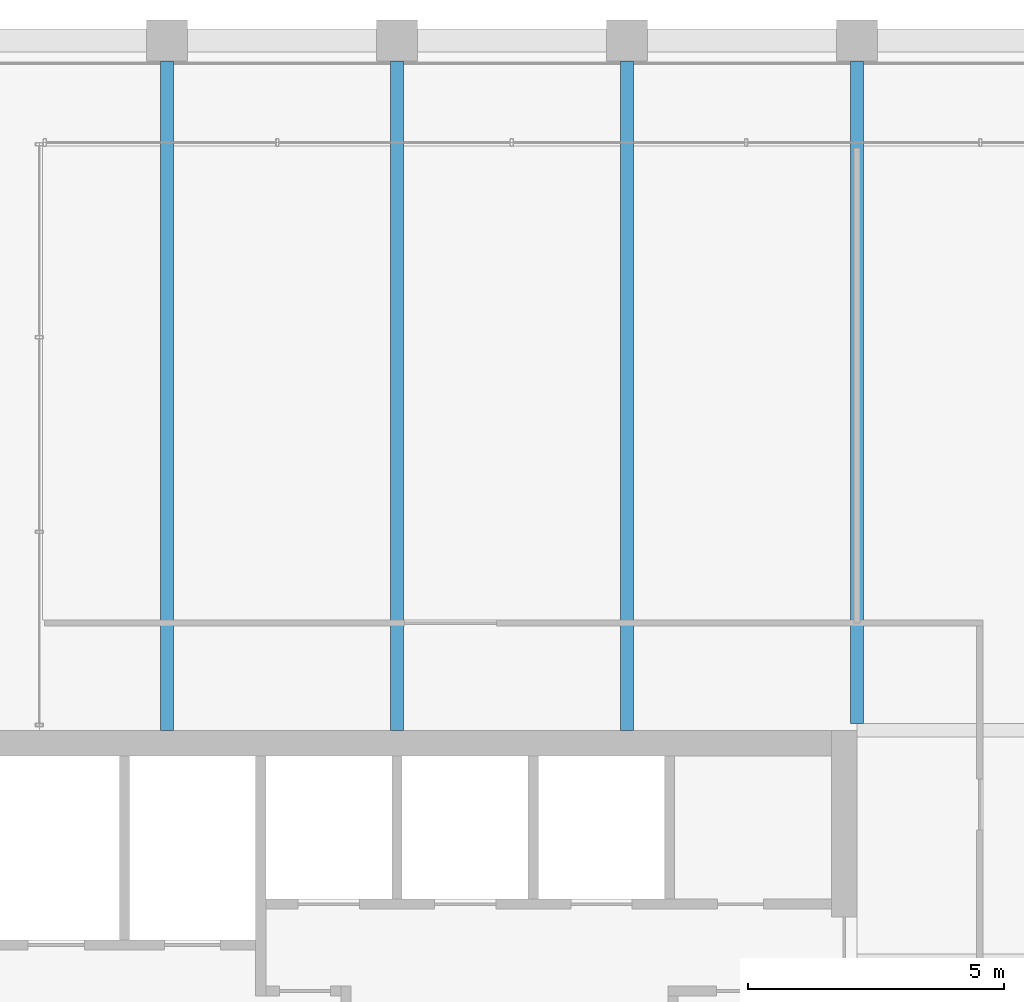
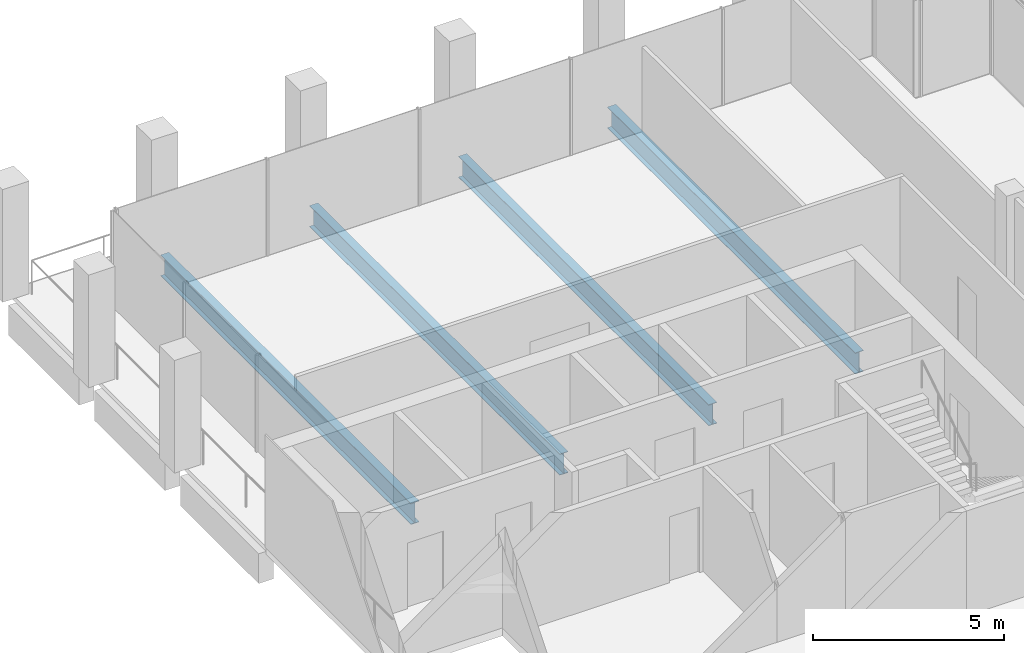
# One storey, part 22 of 30: 4 beams.
"""IFC4 building model written with IfcOpenShell, lengths in metres."""

import ifcopenshell
import ifcopenshell.guid

model = None  # the IFC model being written
_history = None  # IfcOwnerHistory: only IFC2X3 demands one
_inside = {}  # id of a spatial element -> (the spatial element, [elements in it])
_under = {}  # id of a project, library or spatial element -> (it, [spatial elements below it])
_declared = {}  # id of a project -> (the project, [libraries it declares])
_typed = {}  # id of a type object -> (the type object, [elements of that type])
_made_of = {}  # id of a material, layer set ... -> (it, [elements and type objects made of it])


def new_model(schema):
    """Start an empty IFC model of exactly this schema.

    Asked for "IFC4X3", IfcOpenShell would pick the latest addendum, in which some entities
    have other attributes; the version numbers below select the first issue.
    IFC2X3 requires an IfcOwnerHistory on every rooted entity: one is made here for all.
    """
    global model, _history
    if schema == "IFC4X3":
        model = ifcopenshell.file(schema_version=(4, 3, 0, 0))
    else:
        model = ifcopenshell.file(schema=schema)
    _inside.clear()
    _under.clear()
    _declared.clear()
    _typed.clear()
    _made_of.clear()
    _history = None
    if model.schema == "IFC2X3":
        org = make("IfcOrganization", Name="unknown")
        user = make(
            "IfcPersonAndOrganization",
            ThePerson=make("IfcPerson", FamilyName="unknown"),
            TheOrganization=org,
        )
        app = make(
            "IfcApplication",
            ApplicationDeveloper=org,
            Version="unknown",
            ApplicationFullName="unknown",
            ApplicationIdentifier="unknown",
        )
        _history = make(
            "IfcOwnerHistory",
            OwningUser=user,
            OwningApplication=app,
            ChangeAction="ADDED",
            CreationDate=0,
        )
    return model


def make(cls, **values):
    """One entity of the class cls with the attributes given. An attribute that is None is left unset."""
    return model.create_entity(
        cls, **{name: value for name, value in values.items() if value is not None}
    )


def rooted(cls, **values):
    """An entity with a GlobalId (a new one), such as an element, a storey or a relation."""
    return make(cls, GlobalId=ifcopenshell.guid.new(), OwnerHistory=_history, **values)


def si_unit(unit_type, name, prefix=None):
    """IfcSIUnit, for example si_unit("LENGTHUNIT", "METRE", prefix="MILLI")."""
    return make("IfcSIUnit", UnitType=unit_type, Prefix=prefix, Name=name)


def assignment(units):
    """IfcUnitAssignment: the units of a project."""
    return None if units is None else make("IfcUnitAssignment", Units=units)


def point(xyz):
    """IfcCartesianPoint."""
    return None if xyz is None else make("IfcCartesianPoint", Coordinates=xyz)


def direction(xyz):
    """IfcDirection."""
    return None if xyz is None else make("IfcDirection", DirectionRatios=xyz)


def frame(location, z_axis=None, x_axis=None):
    """IfcAxis2Placement3D, a coordinate frame: its origin and axes. An axis left out is left unset."""
    return make(
        "IfcAxis2Placement3D",
        Location=point(location),
        Axis=direction(z_axis),
        RefDirection=direction(x_axis),
    )


def frame_2d(location, x_axis=None):
    """IfcAxis2Placement2D, a coordinate frame in the plane: its origin and x axis."""
    return make(
        "IfcAxis2Placement2D", Location=point(location), RefDirection=direction(x_axis)
    )


def origin():
    """The frame at (0, 0, 0) with its axes left unset."""
    return frame((0.0, 0.0, 0.0))


def origin_2d():
    """The frame at (0, 0) in the plane with its x axis left unset."""
    return frame_2d((0.0, 0.0))


def place(relative_to, where):
    """IfcLocalPlacement: puts the frame where relative to a parent placement (None: the world)."""
    return make(
        "IfcLocalPlacement", PlacementRelTo=relative_to, RelativePlacement=where
    )


def context(
    kind, dimensions, precision=None, world=None, true_north=None, identifier=None
):
    """IfcGeometricRepresentationContext, for example the 3D "Model" context."""
    return make(
        "IfcGeometricRepresentationContext",
        ContextIdentifier=identifier,
        ContextType=kind,
        CoordinateSpaceDimension=dimensions,
        Precision=precision,
        WorldCoordinateSystem=world,
        TrueNorth=true_north,
    )


def subcontext(parent, identifier, kind, view, scale=None):
    """IfcGeometricRepresentationSubContext, for example "Body" below "Model"."""
    return make(
        "IfcGeometricRepresentationSubContext",
        ContextIdentifier=identifier,
        ContextType=kind,
        ParentContext=parent,
        TargetScale=scale,
        TargetView=view,
    )


def project(units=None, contexts=None):
    """IfcProject with its units and contexts."""
    return rooted(
        "IfcProject",
        Name="project",
        RepresentationContexts=contexts,
        UnitsInContext=assignment(units),
    )


def spatial(cls, under=None, at=None, **own):
    """A site, building, storey or space (cls), placed at a placement, below another one or the project."""
    s = rooted(cls, ObjectPlacement=at, **own)
    if under is not None:
        _under.setdefault(under.id(), (under, []))[1].append(s)
    return s


def profile(cls, at=None, kind="AREA", **sizes):
    """A parametric profile (cls). Its sizes go by their IFC names, for example OverallWidth=200.0."""
    return make(cls, ProfileType=kind, Position=at, **sizes)


def i_section(**sizes):
    """IfcIShapeProfileDef."""
    return profile("IfcIShapeProfileDef", **sizes)


def extrude(swept, where, along, depth):
    """IfcExtrudedAreaSolid: the profile swept, set in the frame where, extruded along a direction by depth."""
    return make(
        "IfcExtrudedAreaSolid",
        SweptArea=swept,
        Position=where,
        ExtrudedDirection=direction(along),
        Depth=depth,
    )


def shape(context_of_items, identifier, shape_type, items):
    """IfcShapeRepresentation: the items that make up one representation, for example the "Body"."""
    return make(
        "IfcShapeRepresentation",
        ContextOfItems=context_of_items,
        RepresentationIdentifier=identifier,
        RepresentationType=shape_type,
        Items=items,
    )


def material(Name=None, Category=None):
    """IfcMaterial."""
    return make("IfcMaterial", Name=Name, Category=Category)


def material_profile(
    of_material, cross_section, Name=None, Category=None, Priority=None
):
    """IfcMaterialProfile: a cross section and its material."""
    return make(
        "IfcMaterialProfile",
        Name=Name,
        Material=of_material,
        Profile=cross_section,
        Priority=Priority,
        Category=Category,
    )


def profile_set(profiles, Name=None, composite=None):
    """IfcMaterialProfileSet."""
    return make(
        "IfcMaterialProfileSet",
        Name=Name,
        MaterialProfiles=profiles,
        CompositeProfile=composite,
    )


def made_of(thing, what):
    """Note that an element or type object is made of a material, layer set ...; save() writes the relation."""
    if what is not None:
        _made_of.setdefault(what.id(), (what, []))[1].append(thing)
    return thing


def type_object(cls, material=None, **own):
    """A type object (cls), such as IfcWallType, which elements share."""
    return made_of(rooted(cls, **own), material)


def element(
    cls,
    number,
    at=None,
    inside=None,
    cuts=None,
    type_object=None,
    material=None,
    context=None,
    identifier="Body",
    shape_type=None,
    held_by="IfcProductDefinitionShape",
    body=None,
    shapes=None,
    **own,
):
    """One element of the class cls, such as IfcWall. Its Tag is "e" and its number.

    at: its placement. inside: the storey or other place that contains it. cuts: it is an
    opening in that element (IfcRelVoidsElement). A single representation is given by context,
    identifier, shape_type and body (its items); several are given by shapes. held_by: the class
    of the entity that holds the representations. save() writes the other relations.
    """
    e = rooted(cls, Tag="e%d" % number, ObjectPlacement=at, **own)
    if body is not None:
        shapes = [shape(context, identifier, shape_type, body)]
    if shapes is not None:
        e.Representation = make(held_by, Representations=shapes)
    if inside is not None:
        _inside.setdefault(inside.id(), (inside, []))[1].append(e)
    if cuts is not None:
        rooted(
            "IfcRelVoidsElement", RelatingBuildingElement=cuts, RelatedOpeningElement=e
        )
    if type_object is not None:
        _typed.setdefault(type_object.id(), (type_object, []))[1].append(e)
    return made_of(e, material)


def aggregate(whole, parts):
    """IfcRelAggregates: a whole, such as a stair, and the parts it consists of."""
    return rooted("IfcRelAggregates", RelatingObject=whole, RelatedObjects=parts)


def save(model, path):
    """Write the relations noted so far, then the file.

    IfcRelAggregates (storeys below a building ...), IfcRelContainedInSpatialStructure (elements
    in a storey), IfcRelDefinesByType, IfcRelAssociatesMaterial and IfcRelDeclares: one each for
    every whole, place, type object, material and project.
    """
    for whole, parts in _under.values():
        aggregate(whole, parts)
    for where, things in _inside.values():
        rooted(
            "IfcRelContainedInSpatialStructure",
            RelatedElements=things,
            RelatingStructure=where,
        )
    for kind, things in _typed.values():
        rooted("IfcRelDefinesByType", RelatedObjects=things, RelatingType=kind)
    for what, things in _made_of.values():
        rooted("IfcRelAssociatesMaterial", RelatedObjects=things, RelatingMaterial=what)
    for by, libraries in _declared.values():
        rooted("IfcRelDeclares", RelatingContext=by, RelatedDefinitions=libraries)
    model.write(path)


model = new_model("IFC4")

# Units and contexts
model_context = context("Model", 3, precision=1e-05, world=origin(), true_north=direction((0.0, 1.0)))
body_context = subcontext(model_context, "Body", "Model", "MODEL_VIEW")
ifc_project = project(units=[si_unit("LENGTHUNIT", "METRE"), si_unit("AREAUNIT", "SQUARE_METRE"), si_unit("VOLUMEUNIT", "CUBIC_METRE"), si_unit("PLANEANGLEUNIT", "RADIAN"), si_unit("MASSUNIT", "GRAM", prefix="KILO")], contexts=[model_context])

# Site, building, storey
site_placement = place(None, origin())
site = spatial("IfcSite", under=ifc_project, at=site_placement, CompositionType="ELEMENT")
building_placement = place(site_placement, origin())
building = spatial("IfcBuilding", under=site, at=building_placement, Name="Altepetl Exchange Towers", CompositionType="ELEMENT")
storey_placement = place(building_placement, frame((0.0, 0.0, 238.800048828125)))
storey = spatial("IfcBuildingStorey", under=building, at=storey_placement, Name="L61", CompositionType="ELEMENT", Elevation=238.800048828125)

# Beams
ifc_material = material(Name="Steel S355", Category="steel")
ifc_material_profile = material_profile(ifc_material, i_section(OverallWidth=0.2529296875, OverallDepth=0.677978515625, WebThickness=0.01171875, FlangeThickness=0.016357421875, at=origin_2d()), Name="W27X84")
ifc_profile_set = profile_set([ifc_material_profile], Name="Steel S355")
beam_type = type_object("IfcBeamType", Name="Floor beam W27X84", PredefinedType="BEAM", material=ifc_profile_set)
for number, where, z_axis, x_axis, name in (
    (1, (45.0, 58.5, -0.489013671875), (0.0, 1.0, 0.0), (-1.0, 0.0, 0.0), "bm:A:L61:000"),
    (2, (49.5, 58.5, -0.489013671875), (0.0, 1.0, 0.0), (-1.0, 0.0, 0.0), "bm:A:L61:001"),
    (3, (54.0, 58.5, -0.489013671875), (0.0, 1.0, 0.0), (-1.0, 0.0, 0.0), "bm:A:L61:002"),
):
    element("IfcBeam", number, at=place(storey_placement, frame(where, z_axis=z_axis, x_axis=x_axis)), inside=storey, type_object=beam_type, Name=name, PredefinedType="BEAM", context=body_context, shape_type="SweptSolid", body=[
        extrude(i_section(OverallWidth=0.2529296875, OverallDepth=0.677978515625, WebThickness=0.01171875, FlangeThickness=0.016357421875, at=origin_2d()), origin(), (0.0, 0.0, 1.0), 13.10009765625),
    ])
beam_placement = place(storey_placement, frame((58.5, 58.634033203125, -0.489013671875), z_axis=(0.0, 1.0, 0.0), x_axis=(-1.0, 0.0, 0.0)))
element("IfcBeam", 4, at=beam_placement, inside=storey, type_object=beam_type, Name="bm:A:L61:003", PredefinedType="BEAM", context=body_context, shape_type="SweptSolid", body=[
    extrude(i_section(OverallWidth=0.2529296875, OverallDepth=0.677978515625, WebThickness=0.01171875, FlangeThickness=0.016357421875, at=origin_2d()), origin(), (0.0, 0.0, 1.0), 12.966064453125),
])

save(model, "model.ifc")
